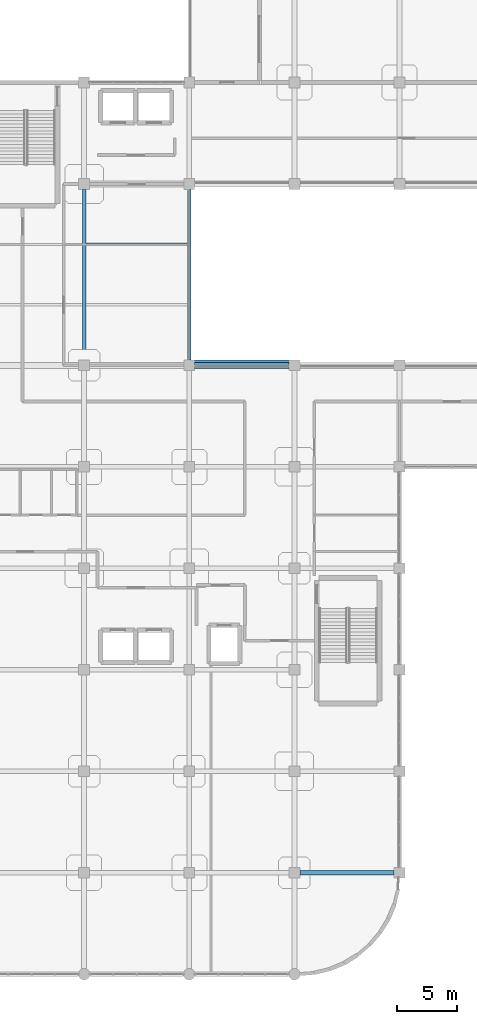
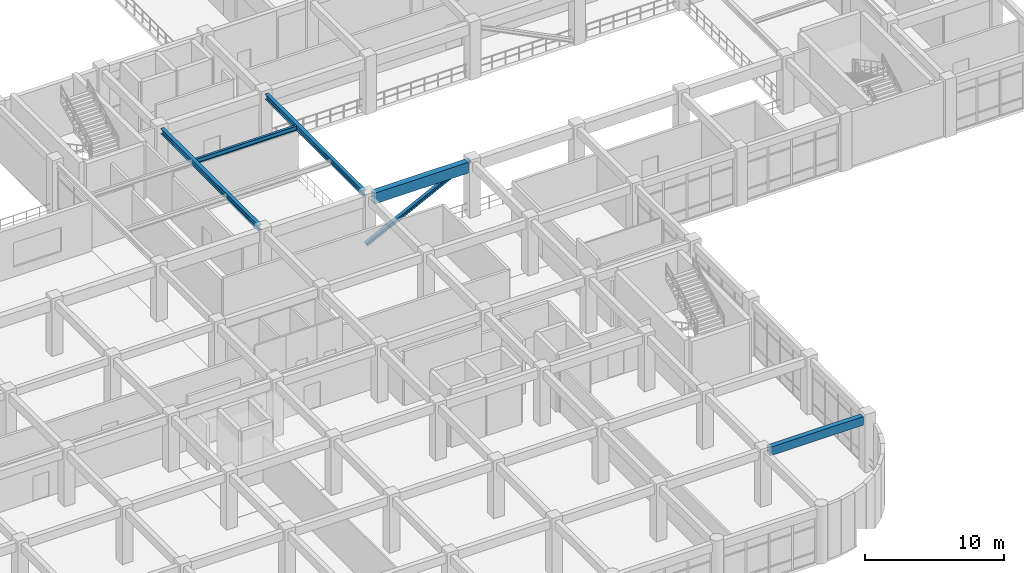
# One storey, part 24 of 120: 5 beams, 1 member.
"""IFC4 building model written with IfcOpenShell, lengths in metres."""

from ifc_helpers import new_model, si_unit, derived_unit, direction, frame, origin, origin_2d, place, context, subcontext, project, spatial, rectangle, i_section, extrude, material, material_profile, profile_set, type_object, element, save


model = new_model("IFC4")

# Units and contexts
model_context = context("Model", 3, precision=1e-05, world=origin(), true_north=direction((0.0, 1.0)))
body_context = subcontext(model_context, "Body", "Model", "MODEL_VIEW")
ifc_project = project(units=[si_unit("LENGTHUNIT", "METRE"), si_unit("AREAUNIT", "SQUARE_METRE"), si_unit("VOLUMEUNIT", "CUBIC_METRE"), si_unit("PLANEANGLEUNIT", "RADIAN"), si_unit("MASSUNIT", "GRAM", prefix="KILO"), derived_unit("THERMALTRANSMITTANCEUNIT", [(si_unit("MASSUNIT", "GRAM", prefix="KILO"), 1), (si_unit("TIMEUNIT", "SECOND"), -3), (si_unit("THERMODYNAMICTEMPERATUREUNIT", "KELVIN"), -1)])], contexts=[model_context])

# Site, building, storey
site_placement = place(None, origin())
site = spatial("IfcSite", under=ifc_project, at=site_placement, CompositionType="ELEMENT")
building_placement = place(site_placement, origin())
building = spatial("IfcBuilding", under=site, at=building_placement, Name="Qinzheling Arcade Emporium", CompositionType="ELEMENT")
storey_placement = place(building_placement, frame((0.0, 0.0, 11.39990234375)))
storey = spatial("IfcBuildingStorey", under=building, at=storey_placement, Name="L03", CompositionType="ELEMENT", Elevation=11.39990234375)

# Beams
ifc_material_1 = material(Name="Structural steel Q355B", Category="steel")
ifc_material_profile_1 = material_profile(ifc_material_1, i_section(OverallWidth=0.300048828125, OverallDepth=0.488037109375, WebThickness=0.010986328125, FlangeThickness=0.01806640625, FilletRadius=0.02197265625, at=origin_2d()), Name="HM 488x300x11x18", Category="steel")
ifc_profile_set_1 = profile_set([ifc_material_profile_1], Name="Structural steel Q355B")
beam_type_1 = type_object("IfcBeamType", Name="Atrium Bridge Girder HM488 Q355B", PredefinedType="USERDEFINED", material=ifc_profile_set_1)
for number, where, z_axis, x_axis, name in (
    (1, (43.5, 50.85009765625, 4.576171875), (0.0, 1.0, 0.0), (-1.0, 0.0, 0.0), "Beam BM-L03-Y-6-G"),
    (2, (52.199951171875, 50.85009765625, 4.576171875), (0.0, 1.0, 0.0), (-1.0, 0.0, 0.0), "Beam BM-L03-Y-7-G"),
):
    element("IfcBeam", number, at=place(storey_placement, frame(where, z_axis=z_axis, x_axis=x_axis)), inside=storey, type_object=beam_type_1, Name=name, ObjectType="TRANSFER_GIRDER", PredefinedType="USERDEFINED", context=body_context, shape_type="SweptSolid", body=[
        extrude(i_section(OverallWidth=0.300048828125, OverallDepth=0.488037109375, WebThickness=0.010986328125, FlangeThickness=0.01806640625, FilletRadius=0.02197265625, at=origin_2d()), origin(), (0.0, 0.0, 1.0), 14.099853515625),
    ])

# Member
ifc_material_profile_2 = material_profile(ifc_material_1, i_section(OverallWidth=0.300048828125, OverallDepth=0.300048828125, WebThickness=0.010009765625, FlangeThickness=0.014892578125, FilletRadius=0.01806640625, at=origin_2d()), Name="HW 300x300x10x15", Category="steel")
ifc_profile_set_2 = profile_set([ifc_material_profile_2], Name="Structural steel Q355B")
member_type = type_object("IfcMemberType", Name="Escalator Truss Stringer HW300 Q355B", PredefinedType="STRINGER", material=ifc_profile_set_2)
member_placement = place(storey_placement, frame((52.199951171875, 50.679931640625, 0.18017578125), z_axis=(0.893608196207, 0.0, 0.448847849134), x_axis=(0.0, 1.0, 0.0)))
element("IfcMember", 3, at=member_placement, inside=storey, type_object=member_type, Name="Escalator Stringer ESC-STR-L03-1", PredefinedType="STRINGER", context=body_context, shape_type="SweptSolid", body=[
    extrude(i_section(OverallWidth=0.300048828125, OverallDepth=0.300048828125, WebThickness=0.010009765625, FlangeThickness=0.014892578125, FilletRadius=0.01806640625, at=origin_2d()), origin(), (0.0, 0.0, 1.0), 9.73583984375),
])

# Beams
ifc_material_2 = material(Name="Concrete C40", Category="concrete")
ifc_material_profile_3 = material_profile(ifc_material_2, rectangle(XDim=0.39990234375, YDim=0.75, at=origin_2d()), Name="RC 400x750", Category="concrete")
ifc_profile_set_3 = profile_set([ifc_material_profile_3], Name="Concrete C40")
beam_type_2 = type_object("IfcBeamType", Name="RC Interior Tie Beam 400x750 C40", PredefinedType="BEAM", material=ifc_profile_set_3)
beam_1_placement = place(storey_placement, frame((61.35009765625, 8.39990234375, 4.445068359375), z_axis=(1.0, 0.0, 0.0), x_axis=(0.0, 1.0, 0.0)))
element("IfcBeam", 4, at=beam_1_placement, inside=storey, type_object=beam_type_2, Name="Beam BM-L03-X-B-8", PredefinedType="BEAM", context=body_context, shape_type="SweptSolid", body=[
    extrude(rectangle(XDim=0.39990234375, YDim=0.75, at=origin_2d()), origin(), (0.0, 0.0, 1.0), 7.7998046875),
])
ifc_material_profile_4 = material_profile(ifc_material_2, rectangle(XDim=0.5, YDim=0.949951171875, at=origin_2d()), Name="RC 500x950", Category="concrete")
ifc_profile_set_4 = profile_set([ifc_material_profile_4], Name="Concrete C40")
beam_type_3 = type_object("IfcBeamType", Name="RC Vault Ring Beam 500x950 C40", PredefinedType="BEAM", material=ifc_profile_set_4)
beam_2_placement = place(storey_placement, frame((52.64990234375, 50.39990234375, 4.34521484375), z_axis=(1.0, 0.0, 0.0), x_axis=(0.0, 1.0, 0.0)))
element("IfcBeam", 5, at=beam_2_placement, inside=storey, type_object=beam_type_3, Name="Beam BM-L03-X-G-7", PredefinedType="BEAM", context=body_context, shape_type="SweptSolid", body=[
    extrude(rectangle(XDim=0.5, YDim=0.949951171875, at=origin_2d()), origin(), (0.0, 0.0, 1.0), 7.800048828125),
])
ifc_material_profile_5 = material_profile(ifc_material_1, i_section(OverallWidth=0.199951171875, OverallDepth=0.39990234375, WebThickness=0.008056640625, FlangeThickness=0.012939453125, FilletRadius=0.01611328125, at=origin_2d()), Name="HN 400x200x8x13", Category="steel")
ifc_profile_set_5 = profile_set([ifc_material_profile_5], Name="Structural steel Q355B")
beam_type_4 = type_object("IfcBeamType", Name="Storm Eave Outlooker Joist HN400 Q355B", PredefinedType="JOIST", material=ifc_profile_set_5)
beam_3_placement = place(storey_placement, frame((43.655029296875, 60.39990234375, 4.6201171875), z_axis=(1.0, 0.0, 0.0), x_axis=(0.0, 1.0, 0.0)))
element("IfcBeam", 6, at=beam_3_placement, inside=storey, type_object=beam_type_4, Name="Secondary Joist JST-L03-6-2", PredefinedType="JOIST", context=body_context, shape_type="SweptSolid", body=[
    extrude(i_section(OverallWidth=0.199951171875, OverallDepth=0.39990234375, WebThickness=0.008056640625, FlangeThickness=0.012939453125, FilletRadius=0.01611328125, at=origin_2d()), origin(), (0.0, 0.0, 1.0), 8.389892578125),
])

save(model, "model.ifc")
